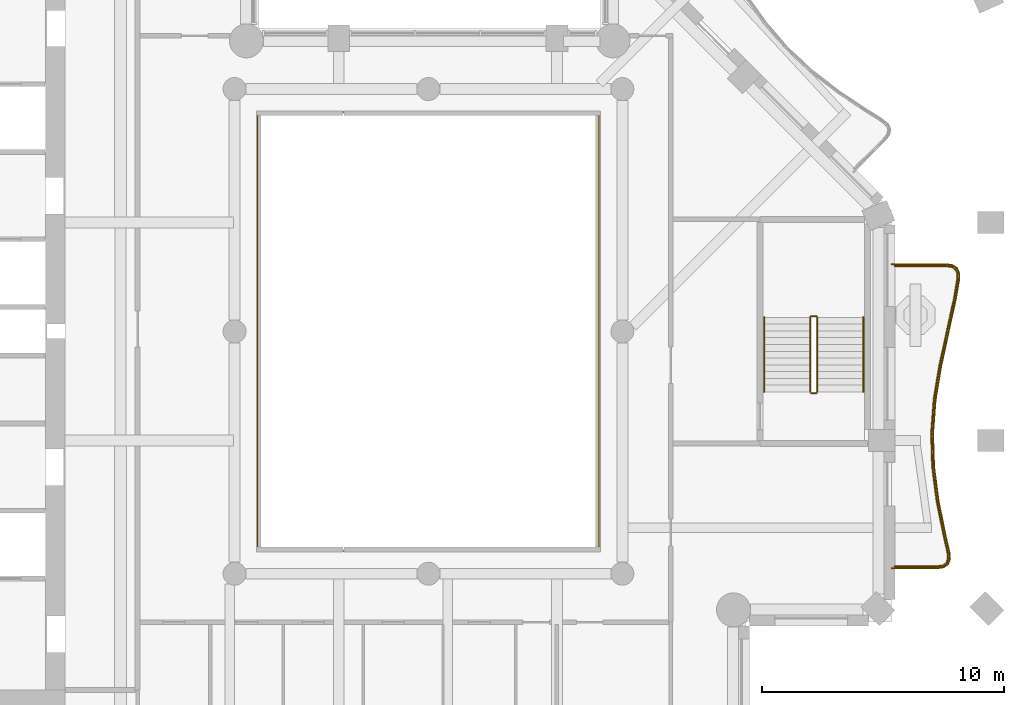
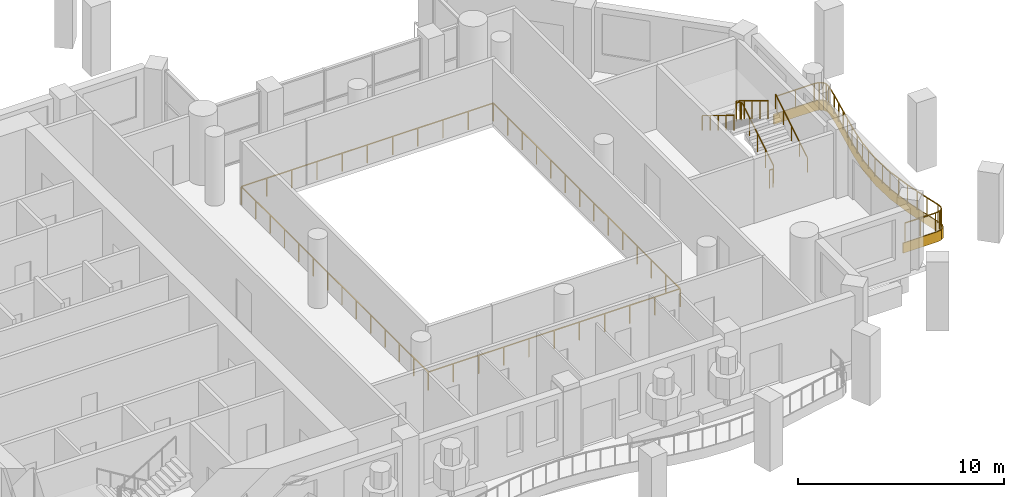
# One storey, part 12 of 15: 8 railings, 1 covering.
"""IFC4 building model written with IfcOpenShell, lengths in metres."""

from ifc_helpers import new_model, si_unit, direction, frame, origin, origin_2d, place, context, subcontext, project, spatial, polyline, rectangle, outline, extrude, material, layer, layer_set, type_object, element, save


model = new_model("IFC4")

# Units and contexts
model_context = context("Model", 3, precision=1e-05, world=origin(), true_north=direction((0.0, 1.0)))
body_context = subcontext(model_context, "Body", "Model", "MODEL_VIEW")
ifc_project = project(units=[si_unit("LENGTHUNIT", "METRE"), si_unit("AREAUNIT", "SQUARE_METRE"), si_unit("VOLUMEUNIT", "CUBIC_METRE"), si_unit("PLANEANGLEUNIT", "RADIAN"), si_unit("MASSUNIT", "GRAM", prefix="KILO")], contexts=[model_context])

# Site, building, storey
site_placement = place(None, origin())
site = spatial("IfcSite", under=ifc_project, at=site_placement, CompositionType="ELEMENT")
building_placement = place(site_placement, origin())
building = spatial("IfcBuilding", under=site, at=building_placement, Name="Cypress Arch Tower", CompositionType="ELEMENT")
storey_placement = place(building_placement, frame((0.0, 0.0, 176.89990234375)))
storey = spatial("IfcBuildingStorey", under=building, at=storey_placement, Name="L38", CompositionType="ELEMENT", Elevation=176.89990234375)

# Railing
ifc_material_1 = material(Name="Stainless steel posts and handrail, laminated glass infill", Category="steel")
railing_type_1 = type_object("IfcRailingType", Name="Atrium guard GR1100A", PredefinedType="GUARDRAIL", material=ifc_material_1)
railing_1_placement = place(storey_placement, frame((8.050048828125, -9.050048828125, 0.0)))
element("IfcRailing", 1, at=railing_1_placement, inside=storey, type_object=railing_type_1, Name="Atrium guard L38", PredefinedType="GUARDRAIL", context=body_context, shape_type="SweptSolid", body=[
    extrude(rectangle(XDim=0.050048828125, YDim=0.050048828125, at=origin_2d()), frame((0.0, 0.0, 1.0751953125), z_axis=(-1.0, 0.0, 0.0), x_axis=(0.0, -1.0, 0.0)), (0.0, 0.0, 1.0), 14.10009765625),
    extrude(rectangle(XDim=0.050048828125, YDim=0.050048828125, at=origin_2d()), frame((-14.10009765625, 0.0, 1.0751953125), z_axis=(0.0, 1.0, 0.0), x_axis=(-1.0, 0.0, 0.0)), (0.0, 0.0, 1.0), 18.10009765625),
    extrude(rectangle(XDim=0.050048828125, YDim=0.050048828125, at=origin_2d()), frame((-14.10009765625, 18.10009765625, 1.0751953125), z_axis=(1.0, 0.0, 0.0), x_axis=(0.0, 1.0, 0.0)), (0.0, 0.0, 1.0), 14.10009765625),
    extrude(rectangle(XDim=0.050048828125, YDim=0.050048828125, at=origin_2d()), frame((0.0, 18.10009765625, 1.0751953125), z_axis=(0.0, -1.0, 0.0), x_axis=(1.0, 0.0, 0.0)), (0.0, 0.0, 1.0), 18.10009765625),
    extrude(rectangle(XDim=0.050048828125, YDim=0.050048828125, at=origin_2d()), origin(), (0.0, 0.0, 1.0), 1.050048828125),
    extrude(rectangle(XDim=0.050048828125, YDim=0.050048828125, at=origin_2d()), frame((-1.409912109375, 0.0, 0.0)), (0.0, 0.0, 1.0), 1.050048828125),
    extrude(rectangle(XDim=0.050048828125, YDim=0.050048828125, at=origin_2d()), frame((-2.820068359375, 0.0, 0.0)), (0.0, 0.0, 1.0), 1.050048828125),
    extrude(rectangle(XDim=0.050048828125, YDim=0.050048828125, at=origin_2d()), frame((-4.22998046875, 0.0, 0.0)), (0.0, 0.0, 1.0), 1.050048828125),
    extrude(rectangle(XDim=0.050048828125, YDim=0.050048828125, at=origin_2d()), frame((-5.64013671875, 0.0, 0.0)), (0.0, 0.0, 1.0), 1.050048828125),
    extrude(rectangle(XDim=0.050048828125, YDim=0.050048828125, at=origin_2d()), frame((-7.050048828125, 0.0, 0.0)), (0.0, 0.0, 1.0), 1.050048828125),
    extrude(rectangle(XDim=0.050048828125, YDim=0.050048828125, at=origin_2d()), frame((-8.4599609375, 0.0, 0.0)), (0.0, 0.0, 1.0), 1.050048828125),
    extrude(rectangle(XDim=0.050048828125, YDim=0.050048828125, at=origin_2d()), frame((-9.8701171875, 0.0, 0.0)), (0.0, 0.0, 1.0), 1.050048828125),
    extrude(rectangle(XDim=0.050048828125, YDim=0.050048828125, at=origin_2d()), frame((-11.280029296875, 0.0, 0.0)), (0.0, 0.0, 1.0), 1.050048828125),
    extrude(rectangle(XDim=0.050048828125, YDim=0.050048828125, at=origin_2d()), frame((-12.690185546875, 0.0, 0.0)), (0.0, 0.0, 1.0), 1.050048828125),
    extrude(rectangle(XDim=0.050048828125, YDim=0.050048828125, at=origin_2d()), frame((-14.10009765625, 0.0, 0.0)), (0.0, 0.0, 1.0), 1.050048828125),
    extrude(rectangle(XDim=0.050048828125, YDim=0.050048828125, at=origin_2d()), frame((-14.10009765625, 1.392333984375, 0.0)), (0.0, 0.0, 1.0), 1.050048828125),
    extrude(rectangle(XDim=0.050048828125, YDim=0.050048828125, at=origin_2d()), frame((-14.10009765625, 2.78466796875, 0.0)), (0.0, 0.0, 1.0), 1.050048828125),
    extrude(rectangle(XDim=0.050048828125, YDim=0.050048828125, at=origin_2d()), frame((-14.10009765625, 4.177001953125, 0.0)), (0.0, 0.0, 1.0), 1.050048828125),
    extrude(rectangle(XDim=0.050048828125, YDim=0.050048828125, at=origin_2d()), frame((-14.10009765625, 5.5693359375, 0.0)), (0.0, 0.0, 1.0), 1.050048828125),
    extrude(rectangle(XDim=0.050048828125, YDim=0.050048828125, at=origin_2d()), frame((-14.10009765625, 6.961669921875, 0.0)), (0.0, 0.0, 1.0), 1.050048828125),
    extrude(rectangle(XDim=0.050048828125, YDim=0.050048828125, at=origin_2d()), frame((-14.10009765625, 8.35400390625, 0.0)), (0.0, 0.0, 1.0), 1.050048828125),
    extrude(rectangle(XDim=0.050048828125, YDim=0.050048828125, at=origin_2d()), frame((-14.10009765625, 9.74609375, 0.0)), (0.0, 0.0, 1.0), 1.050048828125),
    extrude(rectangle(XDim=0.050048828125, YDim=0.050048828125, at=origin_2d()), frame((-14.10009765625, 11.138427734375, 0.0)), (0.0, 0.0, 1.0), 1.050048828125),
    extrude(rectangle(XDim=0.050048828125, YDim=0.050048828125, at=origin_2d()), frame((-14.10009765625, 12.53076171875, 0.0)), (0.0, 0.0, 1.0), 1.050048828125),
    extrude(rectangle(XDim=0.050048828125, YDim=0.050048828125, at=origin_2d()), frame((-14.10009765625, 13.923095703125, 0.0)), (0.0, 0.0, 1.0), 1.050048828125),
    extrude(rectangle(XDim=0.050048828125, YDim=0.050048828125, at=origin_2d()), frame((-14.10009765625, 15.3154296875, 0.0)), (0.0, 0.0, 1.0), 1.050048828125),
    extrude(rectangle(XDim=0.050048828125, YDim=0.050048828125, at=origin_2d()), frame((-14.10009765625, 16.707763671875, 0.0)), (0.0, 0.0, 1.0), 1.050048828125),
    extrude(rectangle(XDim=0.050048828125, YDim=0.050048828125, at=origin_2d()), frame((-14.10009765625, 18.10009765625, 0.0)), (0.0, 0.0, 1.0), 1.050048828125),
    extrude(rectangle(XDim=0.050048828125, YDim=0.050048828125, at=origin_2d()), frame((-12.690185546875, 18.10009765625, 0.0)), (0.0, 0.0, 1.0), 1.050048828125),
    extrude(rectangle(XDim=0.050048828125, YDim=0.050048828125, at=origin_2d()), frame((-11.280029296875, 18.10009765625, 0.0)), (0.0, 0.0, 1.0), 1.050048828125),
    extrude(rectangle(XDim=0.050048828125, YDim=0.050048828125, at=origin_2d()), frame((-9.8701171875, 18.10009765625, 0.0)), (0.0, 0.0, 1.0), 1.050048828125),
    extrude(rectangle(XDim=0.050048828125, YDim=0.050048828125, at=origin_2d()), frame((-8.4599609375, 18.10009765625, 0.0)), (0.0, 0.0, 1.0), 1.050048828125),
    extrude(rectangle(XDim=0.050048828125, YDim=0.050048828125, at=origin_2d()), frame((-7.050048828125, 18.10009765625, 0.0)), (0.0, 0.0, 1.0), 1.050048828125),
    extrude(rectangle(XDim=0.050048828125, YDim=0.050048828125, at=origin_2d()), frame((-5.64013671875, 18.10009765625, 0.0)), (0.0, 0.0, 1.0), 1.050048828125),
    extrude(rectangle(XDim=0.050048828125, YDim=0.050048828125, at=origin_2d()), frame((-4.22998046875, 18.10009765625, 0.0)), (0.0, 0.0, 1.0), 1.050048828125),
    extrude(rectangle(XDim=0.050048828125, YDim=0.050048828125, at=origin_2d()), frame((-2.820068359375, 18.10009765625, 0.0)), (0.0, 0.0, 1.0), 1.050048828125),
    extrude(rectangle(XDim=0.050048828125, YDim=0.050048828125, at=origin_2d()), frame((-1.409912109375, 18.10009765625, 0.0)), (0.0, 0.0, 1.0), 1.050048828125),
    extrude(rectangle(XDim=0.050048828125, YDim=0.050048828125, at=origin_2d()), frame((0.0, 18.10009765625, 0.0)), (0.0, 0.0, 1.0), 1.050048828125),
    extrude(rectangle(XDim=0.050048828125, YDim=0.050048828125, at=origin_2d()), frame((0.0, 16.707763671875, 0.0)), (0.0, 0.0, 1.0), 1.050048828125),
    extrude(rectangle(XDim=0.050048828125, YDim=0.050048828125, at=origin_2d()), frame((0.0, 15.3154296875, 0.0)), (0.0, 0.0, 1.0), 1.050048828125),
    extrude(rectangle(XDim=0.050048828125, YDim=0.050048828125, at=origin_2d()), frame((0.0, 13.923095703125, 0.0)), (0.0, 0.0, 1.0), 1.050048828125),
    extrude(rectangle(XDim=0.050048828125, YDim=0.050048828125, at=origin_2d()), frame((0.0, 12.53076171875, 0.0)), (0.0, 0.0, 1.0), 1.050048828125),
    extrude(rectangle(XDim=0.050048828125, YDim=0.050048828125, at=origin_2d()), frame((0.0, 11.138427734375, 0.0)), (0.0, 0.0, 1.0), 1.050048828125),
    extrude(rectangle(XDim=0.050048828125, YDim=0.050048828125, at=origin_2d()), frame((0.0, 9.74609375, 0.0)), (0.0, 0.0, 1.0), 1.050048828125),
    extrude(rectangle(XDim=0.050048828125, YDim=0.050048828125, at=origin_2d()), frame((0.0, 8.35400390625, 0.0)), (0.0, 0.0, 1.0), 1.050048828125),
    extrude(rectangle(XDim=0.050048828125, YDim=0.050048828125, at=origin_2d()), frame((0.0, 6.961669921875, 0.0)), (0.0, 0.0, 1.0), 1.050048828125),
    extrude(rectangle(XDim=0.050048828125, YDim=0.050048828125, at=origin_2d()), frame((0.0, 5.5693359375, 0.0)), (0.0, 0.0, 1.0), 1.050048828125),
    extrude(rectangle(XDim=0.050048828125, YDim=0.050048828125, at=origin_2d()), frame((0.0, 4.177001953125, 0.0)), (0.0, 0.0, 1.0), 1.050048828125),
    extrude(rectangle(XDim=0.050048828125, YDim=0.050048828125, at=origin_2d()), frame((0.0, 2.78466796875, 0.0)), (0.0, 0.0, 1.0), 1.050048828125),
    extrude(rectangle(XDim=0.050048828125, YDim=0.050048828125, at=origin_2d()), frame((0.0, 1.392333984375, 0.0)), (0.0, 0.0, 1.0), 1.050048828125),
])

# Covering
ifc_material_2 = material(Name="White powder-coated aluminium fascia", Category="aluminium")
ifc_layer = layer(ifc_material_2, 0.050048828125)
ifc_layer_set = layer_set([ifc_layer], Name="Balcony fascia BF50")
covering_type = type_object("IfcCoveringType", Name="Balcony fascia BF50", PredefinedType="CLADDING", material=ifc_layer_set)
covering_placement = place(storey_placement, frame((0.0, 0.0, -0.599853515625)))
element("IfcCovering", 2, at=covering_placement, inside=storey, type_object=covering_type, Name="Balcony fascia L38-B04", PredefinedType="CLADDING", context=body_context, shape_type="SweptSolid", body=[
    extrude(outline(polyline([(22.3466796875, 2.800048828125), (22.632080078125, 2.7587890625), (22.83203125, 2.62744140625), (22.92822265625, 2.408447265625), (22.921142578125, 2.1201171875), (22.791015625, 1.3515625), (22.487060546875, -0.038330078125), (22.185302734375, -1.426025390625), (21.95458984375, -2.8115234375), (21.848388671875, -4.195556640625), (21.890380859375, -5.579345703125), (22.0712890625, -6.964111328125), (22.349609375, -8.350830078125), (22.52197265625, -9.117431640625), (22.54443359375, -9.406005859375), (22.45849609375, -9.62646484375), (22.26220703125, -9.7587890625), (21.975830078125, -9.800048828125), (20.10107421875, -9.800048828125), (20.10107421875, -9.75), (21.97216796875, -9.75), (22.24365234375, -9.7109375), (22.41748046875, -9.59375), (22.493896484375, -9.3984375), (22.472412109375, -9.125), (22.30078125, -8.361083984375), (22.02197265625, -6.97216796875), (21.840576171875, -5.583251953125), (21.79833984375, -4.1943359375), (21.905029296875, -2.8056640625), (22.135986328125, -1.416748046875), (22.438232421875, -0.02783203125), (22.741943359375, 1.361083984375), (22.871337890625, 2.125), (22.8779296875, 2.3984375), (22.7919921875, 2.59375), (22.61376953125, 2.7109375), (22.343017578125, 2.75), (20.10107421875, 2.75), (20.10107421875, 2.800048828125), (22.3466796875, 2.800048828125)])), origin(), (0.0, 0.0, 1.0), 0.599853515625),
])

# Railings
ifc_material_3 = material(Name="Powder-coated steel posts and rods, 100 mm clear between rods", Category="steel")
railing_type_2 = type_object("IfcRailingType", Name="Balcony guard GR1100", PredefinedType="GUARDRAIL", material=ifc_material_3)
railing_2_placement = place(storey_placement, frame((20.25, 2.699951171875, 0.0)))
element("IfcRailing", 3, at=railing_2_placement, inside=storey, type_object=railing_type_2, Name="Balcony guard L38-B04", PredefinedType="GUARDRAIL", context=body_context, shape_type="SweptSolid", body=[
    extrude(rectangle(XDim=0.050048828125, YDim=0.050048828125, at=origin_2d()), frame((0.0, 0.0, 1.0751953125), z_axis=(1.0, 0.0, 0.0), x_axis=(0.0, 1.0, 0.0)), (0.0, 0.0, 1.0), 2.089599609375),
    extrude(rectangle(XDim=0.050048828125, YDim=0.050048828125, at=origin_2d()), frame((2.089599609375, 0.0, 1.0751953125), z_axis=(0.989797959451, -0.142478066613, 0.0), x_axis=(0.142478066613, 0.989797959451, 0.0)), (0.0, 0.0, 1.0), 0.2587890625),
    extrude(rectangle(XDim=0.050048828125, YDim=0.050048828125, at=origin_2d()), frame((2.345703125, -0.036865234375, 1.0751953125), z_axis=(0.835243848913, -0.549879725806, 0.0), x_axis=(0.549879725806, 0.835243848913, 0.0)), (0.0, 0.0, 1.0), 0.187255859375),
    extrude(rectangle(XDim=0.050048828125, YDim=0.050048828125, at=origin_2d()), frame((2.502197265625, -0.139892578125, 1.0751953125), z_axis=(0.402389461306, -0.915468580253, 0.0), x_axis=(0.915468580253, 0.402389461306, 0.0)), (0.0, 0.0, 1.0), 0.1875),
    extrude(rectangle(XDim=0.050048828125, YDim=0.050048828125, at=origin_2d()), frame((2.57763671875, -0.3115234375, 1.0751953125), z_axis=(-0.024544067492, -0.999698748999, 0.0), x_axis=(0.999698748999, -0.024544067492, 0.0)), (0.0, 0.0, 1.0), 0.258544921875),
    extrude(rectangle(XDim=0.050048828125, YDim=0.050048828125, at=origin_2d()), frame((2.5712890625, -0.570068359375, 1.0751953125), z_axis=(-0.166763467887, -0.985996929903, 0.0), x_axis=(0.985996929903, -0.166763467887, 0.0)), (0.0, 0.0, 1.0), 0.77001953125),
    extrude(rectangle(XDim=0.050048828125, YDim=0.050048828125, at=origin_2d()), frame((2.44287109375, -1.329345703125, 1.0751953125), z_axis=(-0.213635370109, -0.976913470395, 0.0), x_axis=(0.976913470395, -0.213635370109, 0.0)), (0.0, 0.0, 1.0), 1.42041015625),
    extrude(rectangle(XDim=0.050048828125, YDim=0.050048828125, at=origin_2d()), frame((2.139404296875, -2.717041015625, 1.0751953125), z_axis=(-0.212622001971, -0.977134527216, 0.0), x_axis=(0.977134527216, -0.212622001971, 0.0)), (0.0, 0.0, 1.0), 1.422607421875),
    extrude(rectangle(XDim=0.050048828125, YDim=0.050048828125, at=origin_2d()), frame((1.8369140625, -4.107177734375, 1.0751953125), z_axis=(-0.164146542276, -0.986435964804, 0.0), x_axis=(0.986435964804, -0.164146542276, 0.0)), (0.0, 0.0, 1.0), 1.411376953125),
    extrude(rectangle(XDim=0.050048828125, YDim=0.050048828125, at=origin_2d()), frame((1.605224609375, -5.49951171875, 1.0751953125), z_axis=(-0.076496164914, -0.997069875562, 0.0), x_axis=(0.997069875562, -0.076496164914, 0.0)), (0.0, 0.0, 1.0), 1.39794921875),
    extrude(rectangle(XDim=0.050048828125, YDim=0.050048828125, at=origin_2d()), frame((1.498291015625, -6.893310546875, 1.0751953125), z_axis=(0.03028382693, -0.999541339729, 0.0), x_axis=(0.999541339729, 0.03028382693, 0.0)), (0.0, 0.0, 1.0), 1.394775390625),
    extrude(rectangle(XDim=0.050048828125, YDim=0.050048828125, at=origin_2d()), frame((1.54052734375, -8.287353515625, 1.0751953125), z_axis=(0.129636340406, -0.99156160638, 0.0), x_axis=(0.99156160638, 0.129636340406, 0.0)), (0.0, 0.0, 1.0), 1.405029296875),
    extrude(rectangle(XDim=0.050048828125, YDim=0.050048828125, at=origin_2d()), frame((1.72265625, -9.680419921875, 1.0751953125), z_axis=(0.196844054669, -0.980434810756, 0.0), x_axis=(0.980434810756, 0.196844054669, 0.0)), (0.0, 0.0, 1.0), 1.4189453125),
    extrude(rectangle(XDim=0.050048828125, YDim=0.050048828125, at=origin_2d()), frame((2.001953125, -11.071533203125, 1.0751953125), z_axis=(0.219117404569, -0.975698500058, 0.0), x_axis=(0.975698500058, 0.219117404569, 0.0)), (0.0, 0.0, 1.0), 0.780029296875),
    extrude(rectangle(XDim=0.050048828125, YDim=0.050048828125, at=origin_2d()), frame((2.1728515625, -11.83251953125, 1.0751953125), z_axis=(0.07820960851, -0.996936937392, 0.0), x_axis=(0.996936937392, 0.07820960851, 0.0)), (0.0, 0.0, 1.0), 0.259033203125),
    extrude(rectangle(XDim=0.050048828125, YDim=0.050048828125, at=origin_2d()), frame((2.193115234375, -12.0908203125, 1.0751953125), z_axis=(-0.363542485653, -0.931577619485, 0.0), x_axis=(0.931577619485, -0.363542485653, 0.0)), (0.0, 0.0, 1.0), 0.1826171875),
    extrude(rectangle(XDim=0.050048828125, YDim=0.050048828125, at=origin_2d()), frame((2.126708984375, -12.260986328125, 1.0751953125), z_axis=(-0.82915862424, -0.559013395052, 0.0), x_axis=(0.559013395052, -0.82915862424, 0.0)), (0.0, 0.0, 1.0), 0.1826171875),
    extrude(rectangle(XDim=0.050048828125, YDim=0.050048828125, at=origin_2d()), frame((1.975341796875, -12.363037109375, 1.0751953125), z_axis=(-0.989836161054, -0.142212426564, 0.0), x_axis=(0.142212426564, -0.989836161054, 0.0)), (0.0, 0.0, 1.0), 0.25927734375),
    extrude(rectangle(XDim=0.050048828125, YDim=0.050048828125, at=origin_2d()), frame((1.71875, -12.39990234375, 1.0751953125), z_axis=(-1.0, 0.0, 0.0), x_axis=(0.0, -1.0, 0.0)), (0.0, 0.0, 1.0), 1.71875),
    extrude(rectangle(XDim=0.0400390625, YDim=0.0400390625, at=origin_2d()), origin(), (0.0, 0.0, 1.0), 1.050048828125),
    extrude(rectangle(XDim=0.0400390625, YDim=0.0400390625, at=origin_2d()), frame((1.044921875, 0.0, 0.0)), (0.0, 0.0, 1.0), 1.050048828125),
    extrude(rectangle(XDim=0.0400390625, YDim=0.0400390625, at=origin_2d()), frame((2.089599609375, 0.0, 0.0)), (0.0, 0.0, 1.0), 1.050048828125),
    extrude(rectangle(XDim=0.0400390625, YDim=0.0400390625, at=origin_2d()), frame((2.345703125, -0.036865234375, 0.0)), (0.0, 0.0, 1.0), 1.050048828125),
    extrude(rectangle(XDim=0.0400390625, YDim=0.0400390625, at=origin_2d()), frame((2.502197265625, -0.139892578125, 0.0)), (0.0, 0.0, 1.0), 1.050048828125),
    extrude(rectangle(XDim=0.0400390625, YDim=0.0400390625, at=origin_2d()), frame((2.57763671875, -0.3115234375, 0.0)), (0.0, 0.0, 1.0), 1.050048828125),
    extrude(rectangle(XDim=0.0400390625, YDim=0.0400390625, at=origin_2d()), frame((2.5712890625, -0.570068359375, 0.0)), (0.0, 0.0, 1.0), 1.050048828125),
    extrude(rectangle(XDim=0.0400390625, YDim=0.0400390625, at=origin_2d()), frame((2.44287109375, -1.329345703125, 0.0)), (0.0, 0.0, 1.0), 1.050048828125),
    extrude(rectangle(XDim=0.0400390625, YDim=0.0400390625, at=origin_2d()), frame((2.291015625, -2.023193359375, 0.0)), (0.0, 0.0, 1.0), 1.050048828125),
    extrude(rectangle(XDim=0.0400390625, YDim=0.0400390625, at=origin_2d()), frame((2.139404296875, -2.717041015625, 0.0)), (0.0, 0.0, 1.0), 1.050048828125),
    extrude(rectangle(XDim=0.0400390625, YDim=0.0400390625, at=origin_2d()), frame((1.98828125, -3.412109375, 0.0)), (0.0, 0.0, 1.0), 1.050048828125),
    extrude(rectangle(XDim=0.0400390625, YDim=0.0400390625, at=origin_2d()), frame((1.8369140625, -4.107177734375, 0.0)), (0.0, 0.0, 1.0), 1.050048828125),
    extrude(rectangle(XDim=0.0400390625, YDim=0.0400390625, at=origin_2d()), frame((1.72119140625, -4.80322265625, 0.0)), (0.0, 0.0, 1.0), 1.050048828125),
    extrude(rectangle(XDim=0.0400390625, YDim=0.0400390625, at=origin_2d()), frame((1.605224609375, -5.49951171875, 0.0)), (0.0, 0.0, 1.0), 1.050048828125),
    extrude(rectangle(XDim=0.0400390625, YDim=0.0400390625, at=origin_2d()), frame((1.5517578125, -6.1962890625, 0.0)), (0.0, 0.0, 1.0), 1.050048828125),
    extrude(rectangle(XDim=0.0400390625, YDim=0.0400390625, at=origin_2d()), frame((1.498291015625, -6.893310546875, 0.0)), (0.0, 0.0, 1.0), 1.050048828125),
    extrude(rectangle(XDim=0.0400390625, YDim=0.0400390625, at=origin_2d()), frame((1.51953125, -7.59033203125, 0.0)), (0.0, 0.0, 1.0), 1.050048828125),
    extrude(rectangle(XDim=0.0400390625, YDim=0.0400390625, at=origin_2d()), frame((1.54052734375, -8.287353515625, 0.0)), (0.0, 0.0, 1.0), 1.050048828125),
    extrude(rectangle(XDim=0.0400390625, YDim=0.0400390625, at=origin_2d()), frame((1.631591796875, -8.98388671875, 0.0)), (0.0, 0.0, 1.0), 1.050048828125),
    extrude(rectangle(XDim=0.0400390625, YDim=0.0400390625, at=origin_2d()), frame((1.72265625, -9.680419921875, 0.0)), (0.0, 0.0, 1.0), 1.050048828125),
    extrude(rectangle(XDim=0.0400390625, YDim=0.0400390625, at=origin_2d()), frame((1.8623046875, -10.3759765625, 0.0)), (0.0, 0.0, 1.0), 1.050048828125),
    extrude(rectangle(XDim=0.0400390625, YDim=0.0400390625, at=origin_2d()), frame((2.001953125, -11.071533203125, 0.0)), (0.0, 0.0, 1.0), 1.050048828125),
    extrude(rectangle(XDim=0.0400390625, YDim=0.0400390625, at=origin_2d()), frame((2.1728515625, -11.83251953125, 0.0)), (0.0, 0.0, 1.0), 1.050048828125),
    extrude(rectangle(XDim=0.0400390625, YDim=0.0400390625, at=origin_2d()), frame((2.193115234375, -12.0908203125, 0.0)), (0.0, 0.0, 1.0), 1.050048828125),
    extrude(rectangle(XDim=0.0400390625, YDim=0.0400390625, at=origin_2d()), frame((2.126708984375, -12.260986328125, 0.0)), (0.0, 0.0, 1.0), 1.050048828125),
    extrude(rectangle(XDim=0.0400390625, YDim=0.0400390625, at=origin_2d()), frame((1.975341796875, -12.363037109375, 0.0)), (0.0, 0.0, 1.0), 1.050048828125),
    extrude(rectangle(XDim=0.0400390625, YDim=0.0400390625, at=origin_2d()), frame((1.71875, -12.39990234375, 0.0)), (0.0, 0.0, 1.0), 1.050048828125),
    extrude(rectangle(XDim=0.0400390625, YDim=0.0400390625, at=origin_2d()), frame((0.859375, -12.39990234375, 0.0)), (0.0, 0.0, 1.0), 1.050048828125),
    extrude(rectangle(XDim=0.0400390625, YDim=0.0400390625, at=origin_2d()), frame((0.0, -12.39990234375, 0.0)), (0.0, 0.0, 1.0), 1.050048828125),
])
ifc_material_4 = material(Name="Black powder-coated steel square bar 48 mm", Category="steel")
railing_type_3 = type_object("IfcRailingType", Name="Stair handrail HR1", PredefinedType="HANDRAIL", material=ifc_material_4)
railing_3_placement = place(storey_placement, frame((18.949951171875, -2.5, 0.1708984375)))
element("IfcRailing", 4, at=railing_3_placement, inside=storey, type_object=railing_type_3, Name="L38 C stair handrail 1", PredefinedType="HANDRAIL", context=body_context, shape_type="SweptSolid", body=[
    extrude(rectangle(XDim=0.048095703125, YDim=0.048095703125, at=origin_2d()), frame((0.0, 0.0, 0.8759765625), z_axis=(0.0, 0.853666305674, 0.52082035152), x_axis=(-1.0, 0.0, 0.0)), (0.0, 0.0, 1.0), 3.608154296875),
    extrude(rectangle(XDim=0.0419921875, YDim=0.0419921875, at=origin_2d()), origin(), (0.0, 0.0, 1.0), 0.851806640625),
    extrude(rectangle(XDim=0.0419921875, YDim=0.0419921875, at=origin_2d()), frame((0.0, 0.77001953125, 0.4697265625)), (0.0, 0.0, 1.0), 0.851806640625),
    extrude(rectangle(XDim=0.0419921875, YDim=0.0419921875, at=origin_2d()), frame((0.0, 1.5400390625, 0.939453125)), (0.0, 0.0, 1.0), 0.851806640625),
    extrude(rectangle(XDim=0.0419921875, YDim=0.0419921875, at=origin_2d()), frame((0.0, 2.31005859375, 1.409423828125)), (0.0, 0.0, 1.0), 0.851806640625),
    extrude(rectangle(XDim=0.0419921875, YDim=0.0419921875, at=origin_2d()), frame((0.0, 3.080078125, 1.879150390625)), (0.0, 0.0, 1.0), 0.851806640625),
])
railing_4_placement = place(storey_placement, frame((14.85009765625, 0.580078125, 2.220947265625)))
element("IfcRailing", 5, at=railing_4_placement, inside=storey, type_object=railing_type_3, Name="L38 C stair handrail 2", PredefinedType="HANDRAIL", context=body_context, shape_type="SweptSolid", body=[
    extrude(rectangle(XDim=0.048095703125, YDim=0.048095703125, at=origin_2d()), frame((0.0, 0.0, 0.8759765625), z_axis=(0.0, -0.853666305674, 0.52082035152), x_axis=(1.0, 0.0, 0.0)), (0.0, 0.0, 1.0), 3.608154296875),
    extrude(rectangle(XDim=0.0419921875, YDim=0.0419921875, at=origin_2d()), origin(), (0.0, 0.0, 1.0), 0.851806640625),
    extrude(rectangle(XDim=0.0419921875, YDim=0.0419921875, at=origin_2d()), frame((0.0, -0.77001953125, 0.4697265625)), (0.0, 0.0, 1.0), 0.851806640625),
    extrude(rectangle(XDim=0.0419921875, YDim=0.0419921875, at=origin_2d()), frame((0.0, -1.5400390625, 0.939453125)), (0.0, 0.0, 1.0), 0.851806640625),
    extrude(rectangle(XDim=0.0419921875, YDim=0.0419921875, at=origin_2d()), frame((0.0, -2.31005859375, 1.409423828125)), (0.0, 0.0, 1.0), 0.851806640625),
    extrude(rectangle(XDim=0.0419921875, YDim=0.0419921875, at=origin_2d()), frame((0.0, -3.080078125, 1.879150390625)), (0.0, 0.0, 1.0), 0.851806640625),
])
ifc_material_5 = material(Name="Black powder-coated steel balusters", Category="steel")
railing_type_4 = type_object("IfcRailingType", Name="Stair well guard G1", PredefinedType="GUARDRAIL", material=ifc_material_5)
railing_5_placement = place(storey_placement, frame((17.050048828125, -2.5, 0.1708984375)))
element("IfcRailing", 6, at=railing_5_placement, inside=storey, type_object=railing_type_4, Name="L38 C stair guard 1", PredefinedType="GUARDRAIL", context=body_context, shape_type="SweptSolid", body=[
    extrude(rectangle(XDim=0.048095703125, YDim=0.048095703125, at=origin_2d()), frame((0.0, 0.0, 1.076171875), z_axis=(0.0, 0.853666305674, 0.52082035152), x_axis=(-1.0, 0.0, 0.0)), (0.0, 0.0, 1.0), 3.608154296875),
    extrude(rectangle(XDim=0.0419921875, YDim=0.0419921875, at=origin_2d()), origin(), (0.0, 0.0, 1.0), 1.052001953125),
    extrude(rectangle(XDim=0.0419921875, YDim=0.0419921875, at=origin_2d()), frame((0.0, 0.77001953125, 0.4697265625)), (0.0, 0.0, 1.0), 1.052001953125),
    extrude(rectangle(XDim=0.0419921875, YDim=0.0419921875, at=origin_2d()), frame((0.0, 1.5400390625, 0.939453125)), (0.0, 0.0, 1.0), 1.052001953125),
    extrude(rectangle(XDim=0.0419921875, YDim=0.0419921875, at=origin_2d()), frame((0.0, 2.31005859375, 1.409423828125)), (0.0, 0.0, 1.0), 1.052001953125),
    extrude(rectangle(XDim=0.0419921875, YDim=0.0419921875, at=origin_2d()), frame((0.0, 3.080078125, 1.879150390625)), (0.0, 0.0, 1.0), 1.052001953125),
])
railing_6_placement = place(storey_placement, frame((17.0, 0.6298828125, 2.050048828125)))
element("IfcRailing", 7, at=railing_6_placement, inside=storey, type_object=railing_type_4, Name="L38 C stair guard 2", PredefinedType="GUARDRAIL", context=body_context, shape_type="SweptSolid", body=[
    extrude(rectangle(XDim=0.048095703125, YDim=0.048095703125, at=origin_2d()), frame((0.0, 0.0, 1.076171875), z_axis=(-1.0, 0.0, 0.0), x_axis=(0.0, -1.0, 0.0)), (0.0, 0.0, 1.0), 0.199951171875),
    extrude(rectangle(XDim=0.0419921875, YDim=0.0419921875, at=origin_2d()), origin(), (0.0, 0.0, 1.0), 1.052001953125),
    extrude(rectangle(XDim=0.0419921875, YDim=0.0419921875, at=origin_2d()), frame((-0.199951171875, 0.0, 0.0)), (0.0, 0.0, 1.0), 1.052001953125),
])
railing_7_placement = place(storey_placement, frame((16.75, 0.580078125, 2.220947265625)))
element("IfcRailing", 8, at=railing_7_placement, inside=storey, type_object=railing_type_4, Name="L38 C stair guard 3", PredefinedType="GUARDRAIL", context=body_context, shape_type="SweptSolid", body=[
    extrude(rectangle(XDim=0.048095703125, YDim=0.048095703125, at=origin_2d()), frame((0.0, 0.0, 1.076171875), z_axis=(0.0, -0.853666305674, 0.52082035152), x_axis=(1.0, 0.0, 0.0)), (0.0, 0.0, 1.0), 3.608154296875),
    extrude(rectangle(XDim=0.0419921875, YDim=0.0419921875, at=origin_2d()), origin(), (0.0, 0.0, 1.0), 1.052001953125),
    extrude(rectangle(XDim=0.0419921875, YDim=0.0419921875, at=origin_2d()), frame((0.0, -0.77001953125, 0.4697265625)), (0.0, 0.0, 1.0), 1.052001953125),
    extrude(rectangle(XDim=0.0419921875, YDim=0.0419921875, at=origin_2d()), frame((0.0, -1.5400390625, 0.939453125)), (0.0, 0.0, 1.0), 1.052001953125),
    extrude(rectangle(XDim=0.0419921875, YDim=0.0419921875, at=origin_2d()), frame((0.0, -2.31005859375, 1.409423828125)), (0.0, 0.0, 1.0), 1.052001953125),
    extrude(rectangle(XDim=0.0419921875, YDim=0.0419921875, at=origin_2d()), frame((0.0, -3.080078125, 1.879150390625)), (0.0, 0.0, 1.0), 1.052001953125),
])
railing_8_placement = place(storey_placement, frame((17.0, -2.550048828125, 0.0)))
element("IfcRailing", 9, at=railing_8_placement, inside=storey, type_object=railing_type_4, Name="L38 C stair guard 4", PredefinedType="GUARDRAIL", context=body_context, shape_type="SweptSolid", body=[
    extrude(rectangle(XDim=0.048095703125, YDim=0.048095703125, at=origin_2d()), frame((0.0, 0.0, 1.076171875), z_axis=(-1.0, 0.0, 0.0), x_axis=(0.0, -1.0, 0.0)), (0.0, 0.0, 1.0), 0.199951171875),
    extrude(rectangle(XDim=0.0419921875, YDim=0.0419921875, at=origin_2d()), origin(), (0.0, 0.0, 1.0), 1.052001953125),
    extrude(rectangle(XDim=0.0419921875, YDim=0.0419921875, at=origin_2d()), frame((-0.199951171875, 0.0, 0.0)), (0.0, 0.0, 1.0), 1.052001953125),
])

save(model, "model.ifc")
